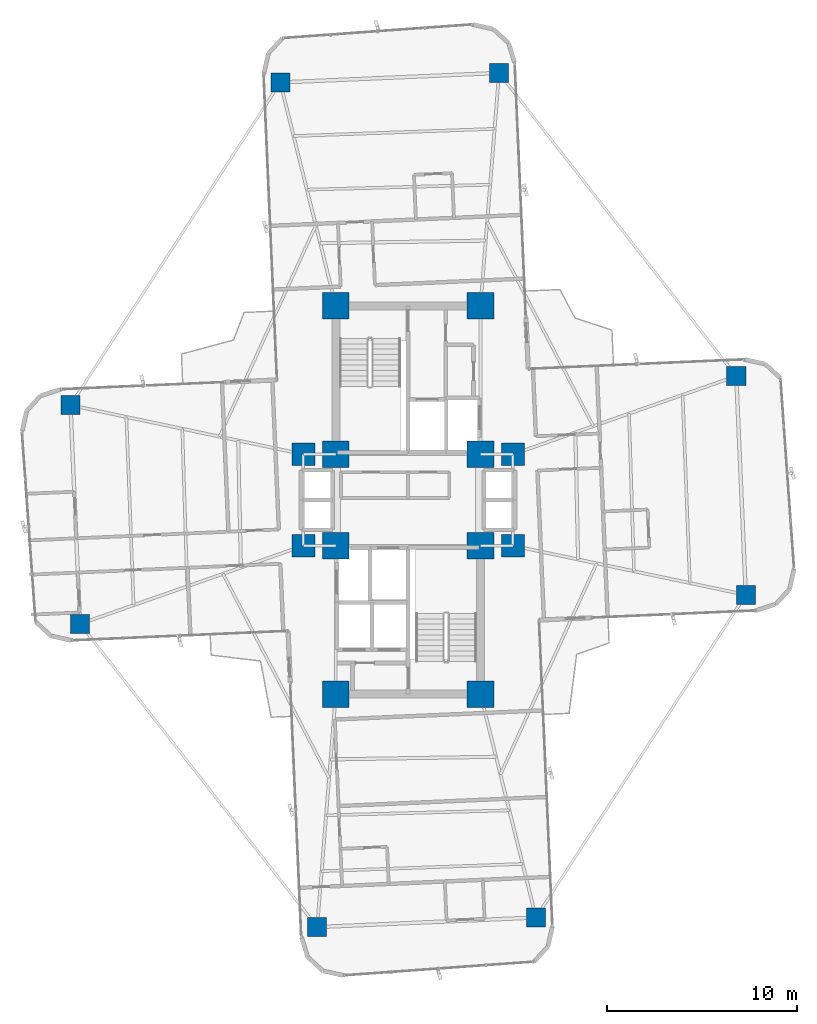
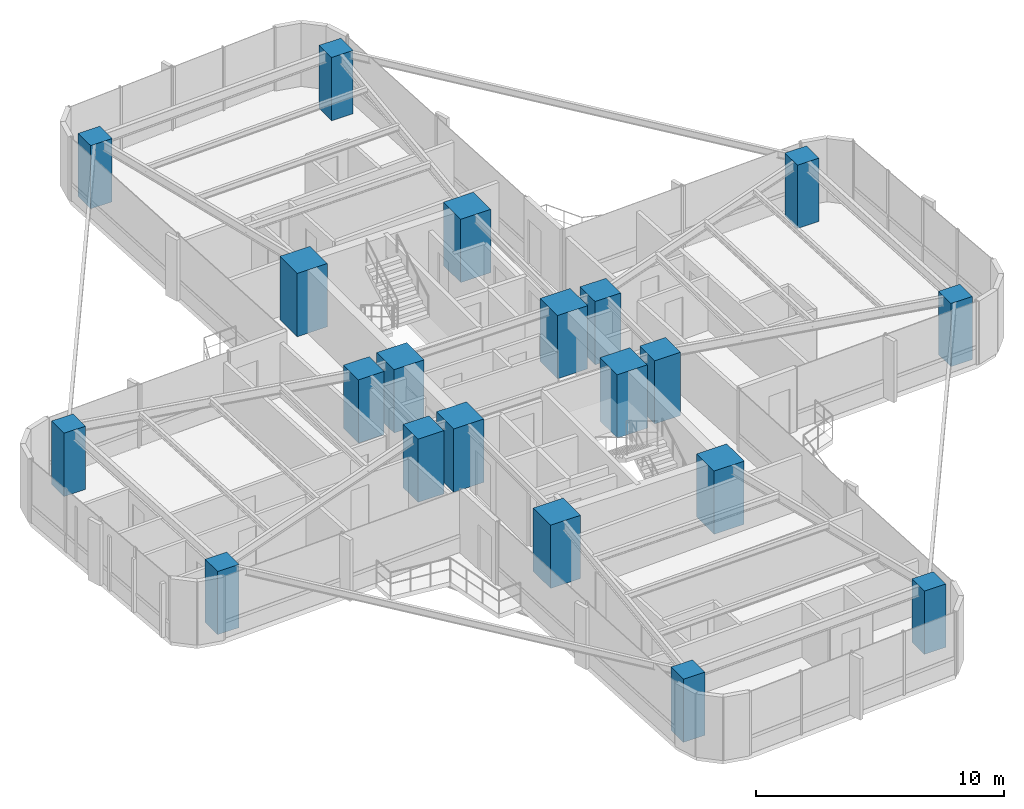
# One storey, part 1 of 26: 20 columns.
"""IFC4 building model written with IfcOpenShell, lengths in metres."""

from ifc_helpers import new_model, si_unit, direction, frame, origin, origin_2d, place, context, subcontext, project, spatial, rectangle, extrude, source, transform, mapped, material, material_profile, profile_set, type_object, element, save


model = new_model("IFC4")

# Units and contexts
model_context = context("Model", 3, precision=1e-05, world=origin(), true_north=direction((0.0, 1.0)))
body_context = subcontext(model_context, "Body", "Model", "MODEL_VIEW")
ifc_project = project(units=[si_unit("LENGTHUNIT", "METRE"), si_unit("AREAUNIT", "SQUARE_METRE"), si_unit("VOLUMEUNIT", "CUBIC_METRE"), si_unit("PLANEANGLEUNIT", "RADIAN"), si_unit("MASSUNIT", "GRAM", prefix="KILO")], contexts=[model_context])

# Site, building, storey
site_placement = place(None, origin())
site = spatial("IfcSite", under=ifc_project, at=site_placement, CompositionType="ELEMENT")
building_placement = place(site_placement, origin())
building = spatial("IfcBuilding", under=site, at=building_placement, Name="Sahyath Konkavel Grand Hotel", CompositionType="ELEMENT")
storey_placement = place(building_placement, frame((0.0, 0.0, 86.85009765625)))
storey = spatial("IfcBuildingStorey", under=building, at=storey_placement, Name="L23", CompositionType="ELEMENT", Elevation=86.85009765625)

# Columns
ifc_material_1 = material(Name="Concrete C70/85", Category="concrete")
ifc_material_profile_1 = material_profile(ifc_material_1, rectangle(XDim=1.39990234375, YDim=1.39990234375, at=origin_2d()), Name="RC 1400x1400")
ifc_profile_set_1 = profile_set([ifc_material_profile_1], Name="Concrete C70/85")
column_type_1 = type_object("IfcColumnType", Name="COL-RC1400", PredefinedType="COLUMN", material=ifc_profile_set_1)
shared_shape_1 = source(origin(), body_context, "Body", "SweptSolid", [
    extrude(rectangle(XDim=1.39990234375, YDim=1.39990234375, at=origin_2d()), origin(), (0.0, 0.0, 1.0), 3.10986328125),
])
for number, where, z_axis, x_axis, name in (
    (1, (-3.800048828125, 2.39990234375, 0.0), (0.0, 0.0, 1.0), (1.0, 0.0, 0.0), "L23 Core Boundary Column NC-SW"),
    (2, (3.800048828125, 2.39990234375, 0.0), (0.0, 0.0, 1.0), (1.0, 0.0, 0.0), "L23 Core Boundary Column NC-SE"),
    (3, (-3.800048828125, 10.199951171875, 0.0), (0.0, 0.0, 1.0), (1.0, 0.0, 0.0), "L23 Core Boundary Column NC-NW"),
    (4, (3.800048828125, 10.199951171875, 0.0), (0.0, 0.0, 1.0), (1.0, 0.0, 0.0), "L23 Core Boundary Column NC-NE"),
    (5, (-3.800048828125, -2.39990234375, 0.0), (0.0, 0.0, 1.0), (1.0, 0.0, 0.0), "L23 Core Boundary Column SC-NW"),
    (6, (3.800048828125, -2.39990234375, 0.0), (0.0, 0.0, 1.0), (1.0, 0.0, 0.0), "L23 Core Boundary Column SC-NE"),
    (7, (-3.800048828125, -10.199951171875, 0.0), (0.0, 0.0, 1.0), (1.0, 0.0, 0.0), "L23 Core Boundary Column SC-SW"),
    (8, (3.800048828125, -10.199951171875, 0.0), (0.0, 0.0, 1.0), (1.0, 0.0, 0.0), "L23 Core Boundary Column SC-SE"),
):
    element("IfcColumn", number, at=place(storey_placement, frame(where, z_axis=z_axis, x_axis=x_axis)), inside=storey, type_object=column_type_1, Name=name, PredefinedType="COLUMN", context=body_context, shape_type="MappedRepresentation", body=[
        mapped(shared_shape_1, transform((0.0, 0.0, 0.0), scale=1.0)),
    ])
ifc_material_2 = material(Name="Concrete C50/60", Category="concrete")
ifc_material_profile_2 = material_profile(ifc_material_2, rectangle(XDim=1.199951171875, YDim=1.199951171875, at=origin_2d()), Name="RC 1200x1200")
ifc_profile_set_2 = profile_set([ifc_material_profile_2], Name="Concrete C50/60")
column_type_2 = type_object("IfcColumnType", Name="COL-RC1200", PredefinedType="COLUMN", material=ifc_profile_set_2)
shared_shape_2 = source(origin(), body_context, "Body", "SweptSolid", [
    extrude(rectangle(XDim=1.199951171875, YDim=1.199951171875, at=origin_2d()), origin(), (0.0, 0.0, 1.0), 3.10986328125),
])
for number, where, z_axis, x_axis, name in (
    (9, (5.5, 2.39990234375, 0.0), (0.0, 0.0, 1.0), (1.0, 0.0, 0.0), "L23 Central Spine Column HB-NE"),
    (10, (-5.5, 2.39990234375, 0.0), (0.0, 0.0, 1.0), (1.0, 0.0, 0.0), "L23 Central Spine Column HB-NW"),
    (11, (5.5, -2.39990234375, 0.0), (0.0, 0.0, 1.0), (1.0, 0.0, 0.0), "L23 Central Spine Column HB-SE"),
    (12, (-5.5, -2.39990234375, 0.0), (0.0, 0.0, 1.0), (1.0, 0.0, 0.0), "L23 Central Spine Column HB-SW"),
):
    element("IfcColumn", number, at=place(storey_placement, frame(where, z_axis=z_axis, x_axis=x_axis)), inside=storey, type_object=column_type_2, Name=name, PredefinedType="COLUMN", context=body_context, shape_type="MappedRepresentation", body=[
        mapped(shared_shape_2, transform((0.0, 0.0, 0.0), scale=1.0)),
    ])
ifc_material_profile_3 = material_profile(ifc_material_2, rectangle(XDim=1.0, YDim=1.0, at=origin_2d()), Name="RC 1000x1000")
ifc_profile_set_3 = profile_set([ifc_material_profile_3], Name="Concrete C50/60")
column_type_3 = type_object("IfcColumnType", Name="COL-RC1000", PredefinedType="COLUMN", material=ifc_profile_set_3)
shared_shape_3 = source(origin(), body_context, "Body", "SweptSolid", [
    extrude(rectangle(XDim=1.0, YDim=1.0, at=origin_2d()), origin(), (0.0, 0.0, 1.0), 3.10986328125),
])
for number, where, z_axis, x_axis, name in (
    (13, (17.734130859375, -4.981201171875, 0.0), (0.0, 0.0, 1.0), (1.0, 0.0, 0.0), "L23 Cruciform Wing Column WC-EA"),
    (14, (17.232421875, 6.5078125, 0.0), (0.0, 0.0, 1.0), (1.0, 0.0, 0.0), "L23 Cruciform Wing Column WC-EB"),
    (15, (4.776123046875, 22.4296875, 0.0), (0.0, 0.0, 1.0), (1.0, 0.0, 0.0), "L23 Cruciform Wing Column WC-NA"),
    (16, (-6.712890625, 21.927978515625, 0.0), (0.0, 0.0, 1.0), (1.0, 0.0, 0.0), "L23 Cruciform Wing Column WC-NB"),
    (17, (-17.734130859375, 4.981201171875, 0.0), (0.0, 0.0, 1.0), (1.0, 0.0, 0.0), "L23 Cruciform Wing Column WC-WA"),
    (18, (-17.232421875, -6.5078125, 0.0), (0.0, 0.0, 1.0), (1.0, 0.0, 0.0), "L23 Cruciform Wing Column WC-WB"),
    (19, (-4.776123046875, -22.4296875, 0.0), (0.0, 0.0, 1.0), (1.0, 0.0, 0.0), "L23 Cruciform Wing Column WC-SA"),
    (20, (6.712890625, -21.927978515625, 0.0), (0.0, 0.0, 1.0), (1.0, 0.0, 0.0), "L23 Cruciform Wing Column WC-SB"),
):
    element("IfcColumn", number, at=place(storey_placement, frame(where, z_axis=z_axis, x_axis=x_axis)), inside=storey, type_object=column_type_3, Name=name, PredefinedType="COLUMN", context=body_context, shape_type="MappedRepresentation", body=[
        mapped(shared_shape_3, transform((0.0, 0.0, 0.0), scale=1.0)),
    ])

save(model, "model.ifc")
